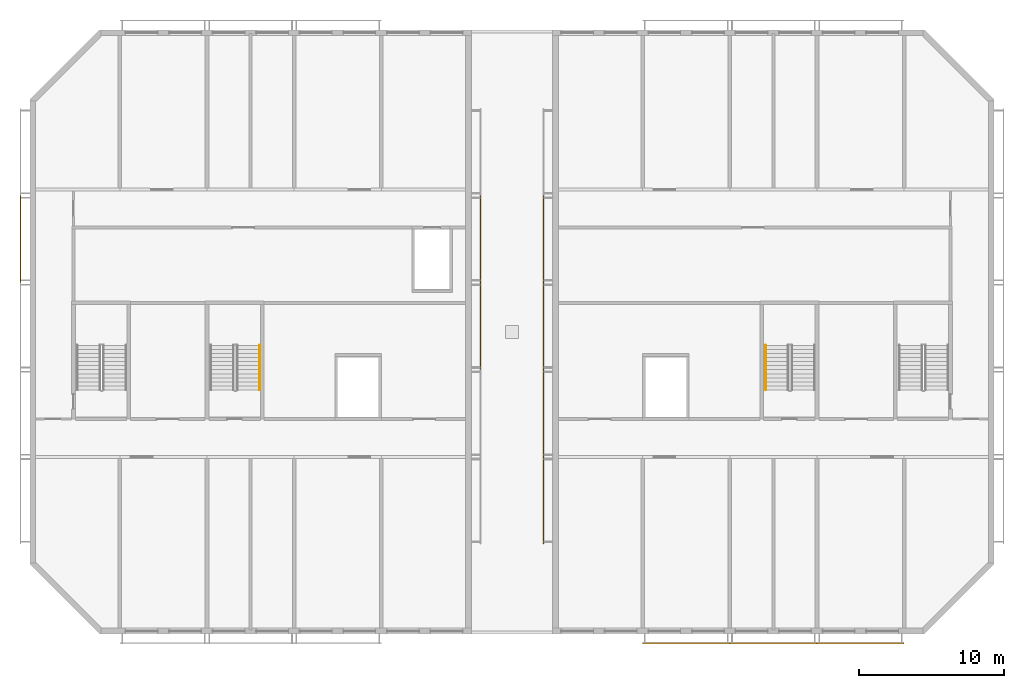
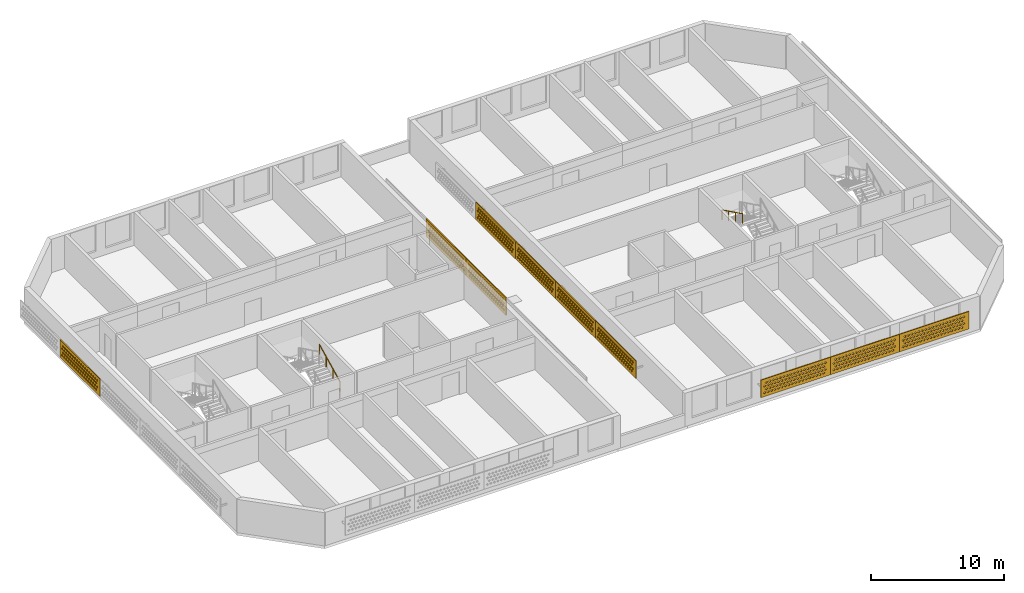
# One storey, part 10 of 18: 10 coverings, 2 railings.
"""IFC4 building model written with IfcOpenShell, lengths in metres."""

from ifc_helpers import new_model, si_unit, direction, frame, origin, origin_2d, place, context, subcontext, project, spatial, polyline, circle, outline, extrude, source, transform, mapped, material, material_profile, profile_set, type_object, element, save


model = new_model("IFC4")

# Units and contexts
model_context = context("Model", 3, precision=1e-05, world=origin(), true_north=direction((0.0, 1.0)))
body_context = subcontext(model_context, "Body", "Model", "MODEL_VIEW")
ifc_project = project(units=[si_unit("LENGTHUNIT", "METRE"), si_unit("AREAUNIT", "SQUARE_METRE"), si_unit("VOLUMEUNIT", "CUBIC_METRE"), si_unit("PLANEANGLEUNIT", "RADIAN"), si_unit("MASSUNIT", "GRAM", prefix="KILO")], contexts=[model_context])

# Site, building, storey
site_placement = place(None, origin())
site = spatial("IfcSite", under=ifc_project, at=site_placement, CompositionType="ELEMENT")
building_placement = place(site_placement, origin())
building = spatial("IfcBuilding", under=site, at=building_placement, Name="Poui Terraces", CompositionType="ELEMENT")
storey_placement = place(building_placement, frame((0.0, 0.0, 272.39990234375)))
storey = spatial("IfcBuildingStorey", under=building, at=storey_placement, Name="L75 CROWN", CompositionType="ELEMENT", Elevation=272.39990234375)

# Railings
ifc_material_1 = material(Name="Stainless steel handrail", Category="steel")
railing_type = type_object("IfcRailingType", Name="STAIR HANDRAIL 900", PredefinedType="HANDRAIL", material=ifc_material_1)
railing_1_placement = place(storey_placement, frame((68.47509765625, 19.679931640625, 1.78759765625)))
element("IfcRailing", 1, at=railing_1_placement, inside=storey, type_object=railing_type, Name="L75 CROWN ST-CE stair handrail 2", PredefinedType="HANDRAIL", context=body_context, shape_type="SweptSolid", body=[
    extrude(circle(Radius=0.02392578125, at=origin_2d()), frame((0.0, 0.0, 0.8759765625), z_axis=(0.0, -0.897606190399, 0.440798283751), x_axis=(1.0, 0.0, 0.0)), (0.0, 0.0, 1.0), 3.43115234375),
    extrude(circle(Radius=0.02099609375, at=origin_2d()), origin(), (0.0, 0.0, 1.0), 0.851806640625),
    extrude(circle(Radius=0.02099609375, at=origin_2d()), frame((0.0, -1.026611328125, 0.504150390625)), (0.0, 0.0, 1.0), 0.851806640625),
    extrude(circle(Radius=0.02099609375, at=origin_2d()), frame((0.0, -2.05322265625, 1.00830078125)), (0.0, 0.0, 1.0), 0.851806640625),
    extrude(circle(Radius=0.02099609375, at=origin_2d()), frame((0.0, -3.079833984375, 1.512451171875)), (0.0, 0.0, 1.0), 0.851806640625),
])
railing_2_placement = place(storey_placement, frame((33.625, 16.60009765625, 0.1376953125)))
element("IfcRailing", 2, at=railing_2_placement, inside=storey, type_object=railing_type, Name="L75 CROWN ST-CW stair handrail 1", PredefinedType="HANDRAIL", context=body_context, shape_type="SweptSolid", body=[
    extrude(circle(Radius=0.02392578125, at=origin_2d()), frame((0.0, 0.0, 0.8759765625), z_axis=(0.0, 0.897606190399, 0.440798283751), x_axis=(-1.0, 0.0, 0.0)), (0.0, 0.0, 1.0), 3.43115234375),
    extrude(circle(Radius=0.02099609375, at=origin_2d()), origin(), (0.0, 0.0, 1.0), 0.851806640625),
    extrude(circle(Radius=0.02099609375, at=origin_2d()), frame((0.0, 1.026611328125, 0.504150390625)), (0.0, 0.0, 1.0), 0.851806640625),
    extrude(circle(Radius=0.02099609375, at=origin_2d()), frame((0.0, 2.05322265625, 1.00830078125)), (0.0, 0.0, 1.0), 0.851806640625),
    extrude(circle(Radius=0.02099609375, at=origin_2d()), frame((0.0, 3.079833984375, 1.512451171875)), (0.0, 0.0, 1.0), 0.851806640625),
])

# Coverings
ifc_material_2 = material(Name="Terracotta screen", Category="masonry")
ifc_material_profile = material_profile(ifc_material_2, outline(polyline([(-3.0, -0.800048828125), (3.0, -0.800048828125), (3.0, 0.800048828125), (-3.0, 0.800048828125), (-3.0, -0.800048828125)]), holes=[polyline([(-2.800048828125, -0.449951171875), (-2.68994140625, -0.56005859375), (-2.580078125, -0.449951171875), (-2.68994140625, -0.340087890625), (-2.800048828125, -0.449951171875)]), polyline([(-2.5, -0.449951171875), (-2.389892578125, -0.56005859375), (-2.280029296875, -0.449951171875), (-2.389892578125, -0.340087890625), (-2.5, -0.449951171875)]), polyline([(-2.199951171875, -0.449951171875), (-2.090087890625, -0.56005859375), (-1.97998046875, -0.449951171875), (-2.090087890625, -0.340087890625), (-2.199951171875, -0.449951171875)]), polyline([(-1.89990234375, -0.449951171875), (-1.7900390625, -0.56005859375), (-1.679931640625, -0.449951171875), (-1.7900390625, -0.340087890625), (-1.89990234375, -0.449951171875)]), polyline([(-1.60009765625, -0.449951171875), (-1.489990234375, -0.56005859375), (-1.3798828125, -0.449951171875), (-1.489990234375, -0.340087890625), (-1.60009765625, -0.449951171875)]), polyline([(-1.300048828125, -0.449951171875), (-1.18994140625, -0.56005859375), (-1.080078125, -0.449951171875), (-1.18994140625, -0.340087890625), (-1.300048828125, -0.449951171875)]), polyline([(-1.0, -0.449951171875), (-0.889892578125, -0.56005859375), (-0.780029296875, -0.449951171875), (-0.889892578125, -0.340087890625), (-1.0, -0.449951171875)]), polyline([(-0.699951171875, -0.449951171875), (-0.590087890625, -0.56005859375), (-0.47998046875, -0.449951171875), (-0.590087890625, -0.340087890625), (-0.699951171875, -0.449951171875)]), polyline([(-0.39990234375, -0.449951171875), (-0.2900390625, -0.56005859375), (-0.179931640625, -0.449951171875), (-0.2900390625, -0.340087890625), (-0.39990234375, -0.449951171875)]), polyline([(-0.10009765625, -0.449951171875), (0.010009765625, -0.56005859375), (0.1201171875, -0.449951171875), (0.010009765625, -0.340087890625), (-0.10009765625, -0.449951171875)]), polyline([(0.199951171875, -0.449951171875), (0.31005859375, -0.56005859375), (0.419921875, -0.449951171875), (0.31005859375, -0.340087890625), (0.199951171875, -0.449951171875)]), polyline([(0.5, -0.449951171875), (0.610107421875, -0.56005859375), (0.719970703125, -0.449951171875), (0.610107421875, -0.340087890625), (0.5, -0.449951171875)]), polyline([(0.800048828125, -0.449951171875), (0.909912109375, -0.56005859375), (1.02001953125, -0.449951171875), (0.909912109375, -0.340087890625), (0.800048828125, -0.449951171875)]), polyline([(1.10009765625, -0.449951171875), (1.2099609375, -0.56005859375), (1.320068359375, -0.449951171875), (1.2099609375, -0.340087890625), (1.10009765625, -0.449951171875)]), polyline([(1.39990234375, -0.449951171875), (1.510009765625, -0.56005859375), (1.6201171875, -0.449951171875), (1.510009765625, -0.340087890625), (1.39990234375, -0.449951171875)]), polyline([(1.699951171875, -0.449951171875), (1.81005859375, -0.56005859375), (1.919921875, -0.449951171875), (1.81005859375, -0.340087890625), (1.699951171875, -0.449951171875)]), polyline([(2.0, -0.449951171875), (2.110107421875, -0.56005859375), (2.219970703125, -0.449951171875), (2.110107421875, -0.340087890625), (2.0, -0.449951171875)]), polyline([(2.300048828125, -0.449951171875), (2.409912109375, -0.56005859375), (2.52001953125, -0.449951171875), (2.409912109375, -0.340087890625), (2.300048828125, -0.449951171875)]), polyline([(-2.64990234375, -0.14990234375), (-2.5400390625, -0.260009765625), (-2.429931640625, -0.14990234375), (-2.5400390625, -0.0400390625), (-2.64990234375, -0.14990234375)]), polyline([(-2.35009765625, -0.14990234375), (-2.239990234375, -0.260009765625), (-2.1298828125, -0.14990234375), (-2.239990234375, -0.0400390625), (-2.35009765625, -0.14990234375)]), polyline([(-2.050048828125, -0.14990234375), (-1.93994140625, -0.260009765625), (-1.830078125, -0.14990234375), (-1.93994140625, -0.0400390625), (-2.050048828125, -0.14990234375)]), polyline([(-1.75, -0.14990234375), (-1.639892578125, -0.260009765625), (-1.530029296875, -0.14990234375), (-1.639892578125, -0.0400390625), (-1.75, -0.14990234375)]), polyline([(-1.449951171875, -0.14990234375), (-1.340087890625, -0.260009765625), (-1.22998046875, -0.14990234375), (-1.340087890625, -0.0400390625), (-1.449951171875, -0.14990234375)]), polyline([(-1.14990234375, -0.14990234375), (-1.0400390625, -0.260009765625), (-0.929931640625, -0.14990234375), (-1.0400390625, -0.0400390625), (-1.14990234375, -0.14990234375)]), polyline([(-0.85009765625, -0.14990234375), (-0.739990234375, -0.260009765625), (-0.6298828125, -0.14990234375), (-0.739990234375, -0.0400390625), (-0.85009765625, -0.14990234375)]), polyline([(-0.550048828125, -0.14990234375), (-0.43994140625, -0.260009765625), (-0.330078125, -0.14990234375), (-0.43994140625, -0.0400390625), (-0.550048828125, -0.14990234375)]), polyline([(-0.25, -0.14990234375), (-0.139892578125, -0.260009765625), (-0.030029296875, -0.14990234375), (-0.139892578125, -0.0400390625), (-0.25, -0.14990234375)]), polyline([(0.050048828125, -0.14990234375), (0.159912109375, -0.260009765625), (0.27001953125, -0.14990234375), (0.159912109375, -0.0400390625), (0.050048828125, -0.14990234375)]), polyline([(0.35009765625, -0.14990234375), (0.4599609375, -0.260009765625), (0.570068359375, -0.14990234375), (0.4599609375, -0.0400390625), (0.35009765625, -0.14990234375)]), polyline([(0.64990234375, -0.14990234375), (0.760009765625, -0.260009765625), (0.8701171875, -0.14990234375), (0.760009765625, -0.0400390625), (0.64990234375, -0.14990234375)]), polyline([(0.949951171875, -0.14990234375), (1.06005859375, -0.260009765625), (1.169921875, -0.14990234375), (1.06005859375, -0.0400390625), (0.949951171875, -0.14990234375)]), polyline([(1.25, -0.14990234375), (1.360107421875, -0.260009765625), (1.469970703125, -0.14990234375), (1.360107421875, -0.0400390625), (1.25, -0.14990234375)]), polyline([(1.550048828125, -0.14990234375), (1.659912109375, -0.260009765625), (1.77001953125, -0.14990234375), (1.659912109375, -0.0400390625), (1.550048828125, -0.14990234375)]), polyline([(1.85009765625, -0.14990234375), (1.9599609375, -0.260009765625), (2.070068359375, -0.14990234375), (1.9599609375, -0.0400390625), (1.85009765625, -0.14990234375)]), polyline([(2.14990234375, -0.14990234375), (2.260009765625, -0.260009765625), (2.3701171875, -0.14990234375), (2.260009765625, -0.0400390625), (2.14990234375, -0.14990234375)]), polyline([(2.449951171875, -0.14990234375), (2.56005859375, -0.260009765625), (2.669921875, -0.14990234375), (2.56005859375, -0.0400390625), (2.449951171875, -0.14990234375)]), polyline([(-2.800048828125, 0.14990234375), (-2.68994140625, 0.0400390625), (-2.580078125, 0.14990234375), (-2.68994140625, 0.260009765625), (-2.800048828125, 0.14990234375)]), polyline([(-2.5, 0.14990234375), (-2.389892578125, 0.0400390625), (-2.280029296875, 0.14990234375), (-2.389892578125, 0.260009765625), (-2.5, 0.14990234375)]), polyline([(-2.199951171875, 0.14990234375), (-2.090087890625, 0.0400390625), (-1.97998046875, 0.14990234375), (-2.090087890625, 0.260009765625), (-2.199951171875, 0.14990234375)]), polyline([(-1.89990234375, 0.14990234375), (-1.7900390625, 0.0400390625), (-1.679931640625, 0.14990234375), (-1.7900390625, 0.260009765625), (-1.89990234375, 0.14990234375)]), polyline([(-1.60009765625, 0.14990234375), (-1.489990234375, 0.0400390625), (-1.3798828125, 0.14990234375), (-1.489990234375, 0.260009765625), (-1.60009765625, 0.14990234375)]), polyline([(-1.300048828125, 0.14990234375), (-1.18994140625, 0.0400390625), (-1.080078125, 0.14990234375), (-1.18994140625, 0.260009765625), (-1.300048828125, 0.14990234375)]), polyline([(-1.0, 0.14990234375), (-0.889892578125, 0.0400390625), (-0.780029296875, 0.14990234375), (-0.889892578125, 0.260009765625), (-1.0, 0.14990234375)]), polyline([(-0.699951171875, 0.14990234375), (-0.590087890625, 0.0400390625), (-0.47998046875, 0.14990234375), (-0.590087890625, 0.260009765625), (-0.699951171875, 0.14990234375)]), polyline([(-0.39990234375, 0.14990234375), (-0.2900390625, 0.0400390625), (-0.179931640625, 0.14990234375), (-0.2900390625, 0.260009765625), (-0.39990234375, 0.14990234375)]), polyline([(-0.10009765625, 0.14990234375), (0.010009765625, 0.0400390625), (0.1201171875, 0.14990234375), (0.010009765625, 0.260009765625), (-0.10009765625, 0.14990234375)]), polyline([(0.199951171875, 0.14990234375), (0.31005859375, 0.0400390625), (0.419921875, 0.14990234375), (0.31005859375, 0.260009765625), (0.199951171875, 0.14990234375)]), polyline([(0.5, 0.14990234375), (0.610107421875, 0.0400390625), (0.719970703125, 0.14990234375), (0.610107421875, 0.260009765625), (0.5, 0.14990234375)]), polyline([(0.800048828125, 0.14990234375), (0.909912109375, 0.0400390625), (1.02001953125, 0.14990234375), (0.909912109375, 0.260009765625), (0.800048828125, 0.14990234375)]), polyline([(1.10009765625, 0.14990234375), (1.2099609375, 0.0400390625), (1.320068359375, 0.14990234375), (1.2099609375, 0.260009765625), (1.10009765625, 0.14990234375)]), polyline([(1.39990234375, 0.14990234375), (1.510009765625, 0.0400390625), (1.6201171875, 0.14990234375), (1.510009765625, 0.260009765625), (1.39990234375, 0.14990234375)]), polyline([(1.699951171875, 0.14990234375), (1.81005859375, 0.0400390625), (1.919921875, 0.14990234375), (1.81005859375, 0.260009765625), (1.699951171875, 0.14990234375)]), polyline([(2.0, 0.14990234375), (2.110107421875, 0.0400390625), (2.219970703125, 0.14990234375), (2.110107421875, 0.260009765625), (2.0, 0.14990234375)]), polyline([(2.300048828125, 0.14990234375), (2.409912109375, 0.0400390625), (2.52001953125, 0.14990234375), (2.409912109375, 0.260009765625), (2.300048828125, 0.14990234375)]), polyline([(-2.64990234375, 0.449951171875), (-2.5400390625, 0.340087890625), (-2.429931640625, 0.449951171875), (-2.5400390625, 0.56005859375), (-2.64990234375, 0.449951171875)]), polyline([(-2.35009765625, 0.449951171875), (-2.239990234375, 0.340087890625), (-2.1298828125, 0.449951171875), (-2.239990234375, 0.56005859375), (-2.35009765625, 0.449951171875)]), polyline([(-2.050048828125, 0.449951171875), (-1.93994140625, 0.340087890625), (-1.830078125, 0.449951171875), (-1.93994140625, 0.56005859375), (-2.050048828125, 0.449951171875)]), polyline([(-1.75, 0.449951171875), (-1.639892578125, 0.340087890625), (-1.530029296875, 0.449951171875), (-1.639892578125, 0.56005859375), (-1.75, 0.449951171875)]), polyline([(-1.449951171875, 0.449951171875), (-1.340087890625, 0.340087890625), (-1.22998046875, 0.449951171875), (-1.340087890625, 0.56005859375), (-1.449951171875, 0.449951171875)]), polyline([(-1.14990234375, 0.449951171875), (-1.0400390625, 0.340087890625), (-0.929931640625, 0.449951171875), (-1.0400390625, 0.56005859375), (-1.14990234375, 0.449951171875)]), polyline([(-0.85009765625, 0.449951171875), (-0.739990234375, 0.340087890625), (-0.6298828125, 0.449951171875), (-0.739990234375, 0.56005859375), (-0.85009765625, 0.449951171875)]), polyline([(-0.550048828125, 0.449951171875), (-0.43994140625, 0.340087890625), (-0.330078125, 0.449951171875), (-0.43994140625, 0.56005859375), (-0.550048828125, 0.449951171875)]), polyline([(-0.25, 0.449951171875), (-0.139892578125, 0.340087890625), (-0.030029296875, 0.449951171875), (-0.139892578125, 0.56005859375), (-0.25, 0.449951171875)]), polyline([(0.050048828125, 0.449951171875), (0.159912109375, 0.340087890625), (0.27001953125, 0.449951171875), (0.159912109375, 0.56005859375), (0.050048828125, 0.449951171875)]), polyline([(0.35009765625, 0.449951171875), (0.4599609375, 0.340087890625), (0.570068359375, 0.449951171875), (0.4599609375, 0.56005859375), (0.35009765625, 0.449951171875)]), polyline([(0.64990234375, 0.449951171875), (0.760009765625, 0.340087890625), (0.8701171875, 0.449951171875), (0.760009765625, 0.56005859375), (0.64990234375, 0.449951171875)]), polyline([(0.949951171875, 0.449951171875), (1.06005859375, 0.340087890625), (1.169921875, 0.449951171875), (1.06005859375, 0.56005859375), (0.949951171875, 0.449951171875)]), polyline([(1.25, 0.449951171875), (1.360107421875, 0.340087890625), (1.469970703125, 0.449951171875), (1.360107421875, 0.56005859375), (1.25, 0.449951171875)]), polyline([(1.550048828125, 0.449951171875), (1.659912109375, 0.340087890625), (1.77001953125, 0.449951171875), (1.659912109375, 0.56005859375), (1.550048828125, 0.449951171875)]), polyline([(1.85009765625, 0.449951171875), (1.9599609375, 0.340087890625), (2.070068359375, 0.449951171875), (1.9599609375, 0.56005859375), (1.85009765625, 0.449951171875)]), polyline([(2.14990234375, 0.449951171875), (2.260009765625, 0.340087890625), (2.3701171875, 0.449951171875), (2.260009765625, 0.56005859375), (2.14990234375, 0.449951171875)]), polyline([(2.449951171875, 0.449951171875), (2.56005859375, 0.340087890625), (2.669921875, 0.449951171875), (2.56005859375, 0.56005859375), (2.449951171875, 0.449951171875)])]), Name="TERRACOTTA SOLAR SCREEN 6000X1600")
ifc_profile_set = profile_set([ifc_material_profile], Name="Terracotta screen")
covering_type = type_object("IfcCoveringType", Name="TERRACOTTA SOLAR SCREEN 6000X1600", PredefinedType="CLADDING", material=ifc_profile_set)
shared_shape = source(origin(), body_context, "Body", "SweptSolid", [
    extrude(outline(polyline([(-3.0, -0.800048828125), (3.0, -0.800048828125), (3.0, 0.800048828125), (-3.0, 0.800048828125), (-3.0, -0.800048828125)]), holes=[polyline([(-2.800048828125, -0.449951171875), (-2.68994140625, -0.56005859375), (-2.580078125, -0.449951171875), (-2.68994140625, -0.340087890625), (-2.800048828125, -0.449951171875)]), polyline([(-2.5, -0.449951171875), (-2.389892578125, -0.56005859375), (-2.280029296875, -0.449951171875), (-2.389892578125, -0.340087890625), (-2.5, -0.449951171875)]), polyline([(-2.199951171875, -0.449951171875), (-2.090087890625, -0.56005859375), (-1.97998046875, -0.449951171875), (-2.090087890625, -0.340087890625), (-2.199951171875, -0.449951171875)]), polyline([(-1.89990234375, -0.449951171875), (-1.7900390625, -0.56005859375), (-1.679931640625, -0.449951171875), (-1.7900390625, -0.340087890625), (-1.89990234375, -0.449951171875)]), polyline([(-1.60009765625, -0.449951171875), (-1.489990234375, -0.56005859375), (-1.3798828125, -0.449951171875), (-1.489990234375, -0.340087890625), (-1.60009765625, -0.449951171875)]), polyline([(-1.300048828125, -0.449951171875), (-1.18994140625, -0.56005859375), (-1.080078125, -0.449951171875), (-1.18994140625, -0.340087890625), (-1.300048828125, -0.449951171875)]), polyline([(-1.0, -0.449951171875), (-0.889892578125, -0.56005859375), (-0.780029296875, -0.449951171875), (-0.889892578125, -0.340087890625), (-1.0, -0.449951171875)]), polyline([(-0.699951171875, -0.449951171875), (-0.590087890625, -0.56005859375), (-0.47998046875, -0.449951171875), (-0.590087890625, -0.340087890625), (-0.699951171875, -0.449951171875)]), polyline([(-0.39990234375, -0.449951171875), (-0.2900390625, -0.56005859375), (-0.179931640625, -0.449951171875), (-0.2900390625, -0.340087890625), (-0.39990234375, -0.449951171875)]), polyline([(-0.10009765625, -0.449951171875), (0.010009765625, -0.56005859375), (0.1201171875, -0.449951171875), (0.010009765625, -0.340087890625), (-0.10009765625, -0.449951171875)]), polyline([(0.199951171875, -0.449951171875), (0.31005859375, -0.56005859375), (0.419921875, -0.449951171875), (0.31005859375, -0.340087890625), (0.199951171875, -0.449951171875)]), polyline([(0.5, -0.449951171875), (0.610107421875, -0.56005859375), (0.719970703125, -0.449951171875), (0.610107421875, -0.340087890625), (0.5, -0.449951171875)]), polyline([(0.800048828125, -0.449951171875), (0.909912109375, -0.56005859375), (1.02001953125, -0.449951171875), (0.909912109375, -0.340087890625), (0.800048828125, -0.449951171875)]), polyline([(1.10009765625, -0.449951171875), (1.2099609375, -0.56005859375), (1.320068359375, -0.449951171875), (1.2099609375, -0.340087890625), (1.10009765625, -0.449951171875)]), polyline([(1.39990234375, -0.449951171875), (1.510009765625, -0.56005859375), (1.6201171875, -0.449951171875), (1.510009765625, -0.340087890625), (1.39990234375, -0.449951171875)]), polyline([(1.699951171875, -0.449951171875), (1.81005859375, -0.56005859375), (1.919921875, -0.449951171875), (1.81005859375, -0.340087890625), (1.699951171875, -0.449951171875)]), polyline([(2.0, -0.449951171875), (2.110107421875, -0.56005859375), (2.219970703125, -0.449951171875), (2.110107421875, -0.340087890625), (2.0, -0.449951171875)]), polyline([(2.300048828125, -0.449951171875), (2.409912109375, -0.56005859375), (2.52001953125, -0.449951171875), (2.409912109375, -0.340087890625), (2.300048828125, -0.449951171875)]), polyline([(-2.64990234375, -0.14990234375), (-2.5400390625, -0.260009765625), (-2.429931640625, -0.14990234375), (-2.5400390625, -0.0400390625), (-2.64990234375, -0.14990234375)]), polyline([(-2.35009765625, -0.14990234375), (-2.239990234375, -0.260009765625), (-2.1298828125, -0.14990234375), (-2.239990234375, -0.0400390625), (-2.35009765625, -0.14990234375)]), polyline([(-2.050048828125, -0.14990234375), (-1.93994140625, -0.260009765625), (-1.830078125, -0.14990234375), (-1.93994140625, -0.0400390625), (-2.050048828125, -0.14990234375)]), polyline([(-1.75, -0.14990234375), (-1.639892578125, -0.260009765625), (-1.530029296875, -0.14990234375), (-1.639892578125, -0.0400390625), (-1.75, -0.14990234375)]), polyline([(-1.449951171875, -0.14990234375), (-1.340087890625, -0.260009765625), (-1.22998046875, -0.14990234375), (-1.340087890625, -0.0400390625), (-1.449951171875, -0.14990234375)]), polyline([(-1.14990234375, -0.14990234375), (-1.0400390625, -0.260009765625), (-0.929931640625, -0.14990234375), (-1.0400390625, -0.0400390625), (-1.14990234375, -0.14990234375)]), polyline([(-0.85009765625, -0.14990234375), (-0.739990234375, -0.260009765625), (-0.6298828125, -0.14990234375), (-0.739990234375, -0.0400390625), (-0.85009765625, -0.14990234375)]), polyline([(-0.550048828125, -0.14990234375), (-0.43994140625, -0.260009765625), (-0.330078125, -0.14990234375), (-0.43994140625, -0.0400390625), (-0.550048828125, -0.14990234375)]), polyline([(-0.25, -0.14990234375), (-0.139892578125, -0.260009765625), (-0.030029296875, -0.14990234375), (-0.139892578125, -0.0400390625), (-0.25, -0.14990234375)]), polyline([(0.050048828125, -0.14990234375), (0.159912109375, -0.260009765625), (0.27001953125, -0.14990234375), (0.159912109375, -0.0400390625), (0.050048828125, -0.14990234375)]), polyline([(0.35009765625, -0.14990234375), (0.4599609375, -0.260009765625), (0.570068359375, -0.14990234375), (0.4599609375, -0.0400390625), (0.35009765625, -0.14990234375)]), polyline([(0.64990234375, -0.14990234375), (0.760009765625, -0.260009765625), (0.8701171875, -0.14990234375), (0.760009765625, -0.0400390625), (0.64990234375, -0.14990234375)]), polyline([(0.949951171875, -0.14990234375), (1.06005859375, -0.260009765625), (1.169921875, -0.14990234375), (1.06005859375, -0.0400390625), (0.949951171875, -0.14990234375)]), polyline([(1.25, -0.14990234375), (1.360107421875, -0.260009765625), (1.469970703125, -0.14990234375), (1.360107421875, -0.0400390625), (1.25, -0.14990234375)]), polyline([(1.550048828125, -0.14990234375), (1.659912109375, -0.260009765625), (1.77001953125, -0.14990234375), (1.659912109375, -0.0400390625), (1.550048828125, -0.14990234375)]), polyline([(1.85009765625, -0.14990234375), (1.9599609375, -0.260009765625), (2.070068359375, -0.14990234375), (1.9599609375, -0.0400390625), (1.85009765625, -0.14990234375)]), polyline([(2.14990234375, -0.14990234375), (2.260009765625, -0.260009765625), (2.3701171875, -0.14990234375), (2.260009765625, -0.0400390625), (2.14990234375, -0.14990234375)]), polyline([(2.449951171875, -0.14990234375), (2.56005859375, -0.260009765625), (2.669921875, -0.14990234375), (2.56005859375, -0.0400390625), (2.449951171875, -0.14990234375)]), polyline([(-2.800048828125, 0.14990234375), (-2.68994140625, 0.0400390625), (-2.580078125, 0.14990234375), (-2.68994140625, 0.260009765625), (-2.800048828125, 0.14990234375)]), polyline([(-2.5, 0.14990234375), (-2.389892578125, 0.0400390625), (-2.280029296875, 0.14990234375), (-2.389892578125, 0.260009765625), (-2.5, 0.14990234375)]), polyline([(-2.199951171875, 0.14990234375), (-2.090087890625, 0.0400390625), (-1.97998046875, 0.14990234375), (-2.090087890625, 0.260009765625), (-2.199951171875, 0.14990234375)]), polyline([(-1.89990234375, 0.14990234375), (-1.7900390625, 0.0400390625), (-1.679931640625, 0.14990234375), (-1.7900390625, 0.260009765625), (-1.89990234375, 0.14990234375)]), polyline([(-1.60009765625, 0.14990234375), (-1.489990234375, 0.0400390625), (-1.3798828125, 0.14990234375), (-1.489990234375, 0.260009765625), (-1.60009765625, 0.14990234375)]), polyline([(-1.300048828125, 0.14990234375), (-1.18994140625, 0.0400390625), (-1.080078125, 0.14990234375), (-1.18994140625, 0.260009765625), (-1.300048828125, 0.14990234375)]), polyline([(-1.0, 0.14990234375), (-0.889892578125, 0.0400390625), (-0.780029296875, 0.14990234375), (-0.889892578125, 0.260009765625), (-1.0, 0.14990234375)]), polyline([(-0.699951171875, 0.14990234375), (-0.590087890625, 0.0400390625), (-0.47998046875, 0.14990234375), (-0.590087890625, 0.260009765625), (-0.699951171875, 0.14990234375)]), polyline([(-0.39990234375, 0.14990234375), (-0.2900390625, 0.0400390625), (-0.179931640625, 0.14990234375), (-0.2900390625, 0.260009765625), (-0.39990234375, 0.14990234375)]), polyline([(-0.10009765625, 0.14990234375), (0.010009765625, 0.0400390625), (0.1201171875, 0.14990234375), (0.010009765625, 0.260009765625), (-0.10009765625, 0.14990234375)]), polyline([(0.199951171875, 0.14990234375), (0.31005859375, 0.0400390625), (0.419921875, 0.14990234375), (0.31005859375, 0.260009765625), (0.199951171875, 0.14990234375)]), polyline([(0.5, 0.14990234375), (0.610107421875, 0.0400390625), (0.719970703125, 0.14990234375), (0.610107421875, 0.260009765625), (0.5, 0.14990234375)]), polyline([(0.800048828125, 0.14990234375), (0.909912109375, 0.0400390625), (1.02001953125, 0.14990234375), (0.909912109375, 0.260009765625), (0.800048828125, 0.14990234375)]), polyline([(1.10009765625, 0.14990234375), (1.2099609375, 0.0400390625), (1.320068359375, 0.14990234375), (1.2099609375, 0.260009765625), (1.10009765625, 0.14990234375)]), polyline([(1.39990234375, 0.14990234375), (1.510009765625, 0.0400390625), (1.6201171875, 0.14990234375), (1.510009765625, 0.260009765625), (1.39990234375, 0.14990234375)]), polyline([(1.699951171875, 0.14990234375), (1.81005859375, 0.0400390625), (1.919921875, 0.14990234375), (1.81005859375, 0.260009765625), (1.699951171875, 0.14990234375)]), polyline([(2.0, 0.14990234375), (2.110107421875, 0.0400390625), (2.219970703125, 0.14990234375), (2.110107421875, 0.260009765625), (2.0, 0.14990234375)]), polyline([(2.300048828125, 0.14990234375), (2.409912109375, 0.0400390625), (2.52001953125, 0.14990234375), (2.409912109375, 0.260009765625), (2.300048828125, 0.14990234375)]), polyline([(-2.64990234375, 0.449951171875), (-2.5400390625, 0.340087890625), (-2.429931640625, 0.449951171875), (-2.5400390625, 0.56005859375), (-2.64990234375, 0.449951171875)]), polyline([(-2.35009765625, 0.449951171875), (-2.239990234375, 0.340087890625), (-2.1298828125, 0.449951171875), (-2.239990234375, 0.56005859375), (-2.35009765625, 0.449951171875)]), polyline([(-2.050048828125, 0.449951171875), (-1.93994140625, 0.340087890625), (-1.830078125, 0.449951171875), (-1.93994140625, 0.56005859375), (-2.050048828125, 0.449951171875)]), polyline([(-1.75, 0.449951171875), (-1.639892578125, 0.340087890625), (-1.530029296875, 0.449951171875), (-1.639892578125, 0.56005859375), (-1.75, 0.449951171875)]), polyline([(-1.449951171875, 0.449951171875), (-1.340087890625, 0.340087890625), (-1.22998046875, 0.449951171875), (-1.340087890625, 0.56005859375), (-1.449951171875, 0.449951171875)]), polyline([(-1.14990234375, 0.449951171875), (-1.0400390625, 0.340087890625), (-0.929931640625, 0.449951171875), (-1.0400390625, 0.56005859375), (-1.14990234375, 0.449951171875)]), polyline([(-0.85009765625, 0.449951171875), (-0.739990234375, 0.340087890625), (-0.6298828125, 0.449951171875), (-0.739990234375, 0.56005859375), (-0.85009765625, 0.449951171875)]), polyline([(-0.550048828125, 0.449951171875), (-0.43994140625, 0.340087890625), (-0.330078125, 0.449951171875), (-0.43994140625, 0.56005859375), (-0.550048828125, 0.449951171875)]), polyline([(-0.25, 0.449951171875), (-0.139892578125, 0.340087890625), (-0.030029296875, 0.449951171875), (-0.139892578125, 0.56005859375), (-0.25, 0.449951171875)]), polyline([(0.050048828125, 0.449951171875), (0.159912109375, 0.340087890625), (0.27001953125, 0.449951171875), (0.159912109375, 0.56005859375), (0.050048828125, 0.449951171875)]), polyline([(0.35009765625, 0.449951171875), (0.4599609375, 0.340087890625), (0.570068359375, 0.449951171875), (0.4599609375, 0.56005859375), (0.35009765625, 0.449951171875)]), polyline([(0.64990234375, 0.449951171875), (0.760009765625, 0.340087890625), (0.8701171875, 0.449951171875), (0.760009765625, 0.56005859375), (0.64990234375, 0.449951171875)]), polyline([(0.949951171875, 0.449951171875), (1.06005859375, 0.340087890625), (1.169921875, 0.449951171875), (1.06005859375, 0.56005859375), (0.949951171875, 0.449951171875)]), polyline([(1.25, 0.449951171875), (1.360107421875, 0.340087890625), (1.469970703125, 0.449951171875), (1.360107421875, 0.56005859375), (1.25, 0.449951171875)]), polyline([(1.550048828125, 0.449951171875), (1.659912109375, 0.340087890625), (1.77001953125, 0.449951171875), (1.659912109375, 0.56005859375), (1.550048828125, 0.449951171875)]), polyline([(1.85009765625, 0.449951171875), (1.9599609375, 0.340087890625), (2.070068359375, 0.449951171875), (1.9599609375, 0.56005859375), (1.85009765625, 0.449951171875)]), polyline([(2.14990234375, 0.449951171875), (2.260009765625, 0.340087890625), (2.3701171875, 0.449951171875), (2.260009765625, 0.56005859375), (2.14990234375, 0.449951171875)]), polyline([(2.449951171875, 0.449951171875), (2.56005859375, 0.340087890625), (2.669921875, 0.449951171875), (2.56005859375, 0.56005859375), (2.449951171875, 0.449951171875)])]), origin(), (0.0, 0.0, 1.0), 0.079833984375),
])
for number, where, z_axis, x_axis, name in (
    (3, (48.800048828125, 21.0, 1.7001953125), (1.0, 0.0, 0.0), (0.0, 1.0, 0.0), "SOLAR SCREEN"),
    (4, (48.800048828125, 27.0, 1.7001953125), (1.0, 0.0, 0.0), (0.0, 1.0, 0.0), "SOLAR SCREEN"),
    (5, (17.199951171875, 27.0, 1.7001953125), (-1.0, 0.0, 0.0), (0.0, -1.0, 0.0), "SOLAR SCREEN"),
    (6, (63.0, -0.800048828125, 1.7001953125), (0.0, -1.0, 0.0), (1.0, 0.0, 0.0), "SOLAR SCREEN"),
    (7, (69.0, -0.800048828125, 1.7001953125), (0.0, -1.0, 0.0), (1.0, 0.0, 0.0), "SOLAR SCREEN"),
    (8, (75.0, -0.800048828125, 1.7001953125), (0.0, -1.0, 0.0), (1.0, 0.0, 0.0), "SOLAR SCREEN"),
    (9, (53.199951171875, 9.0, 1.7001953125), (-1.0, 0.0, 0.0), (0.0, -1.0, 0.0), "SOLAR SCREEN"),
    (10, (53.199951171875, 15.0, 1.7001953125), (-1.0, 0.0, 0.0), (0.0, -1.0, 0.0), "SOLAR SCREEN"),
    (11, (53.199951171875, 21.0, 1.7001953125), (-1.0, 0.0, 0.0), (0.0, -1.0, 0.0), "SOLAR SCREEN"),
    (12, (53.199951171875, 27.0, 1.7001953125), (-1.0, 0.0, 0.0), (0.0, -1.0, 0.0), "SOLAR SCREEN"),
):
    element("IfcCovering", number, at=place(storey_placement, frame(where, z_axis=z_axis, x_axis=x_axis)), inside=storey, type_object=covering_type, Name=name, PredefinedType="CLADDING", context=body_context, shape_type="MappedRepresentation", body=[
        mapped(shared_shape, transform((0.0, 0.0, 0.0))),
    ])

save(model, "model.ifc")
